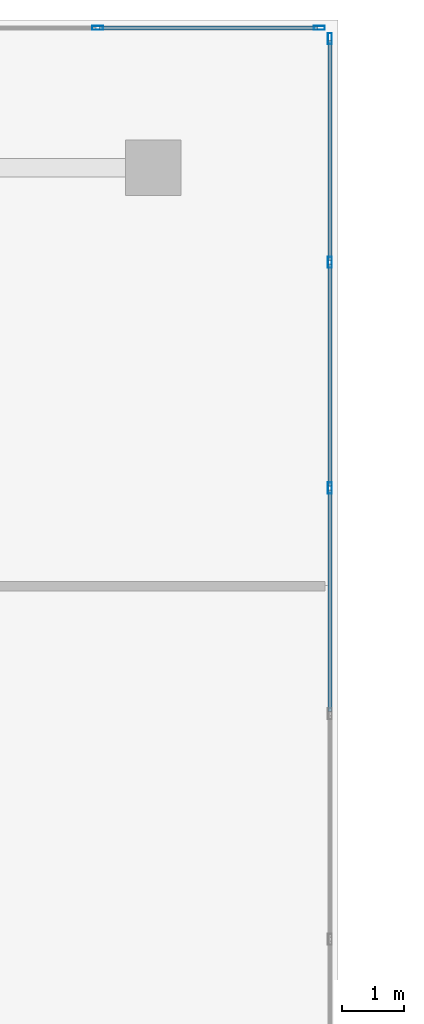
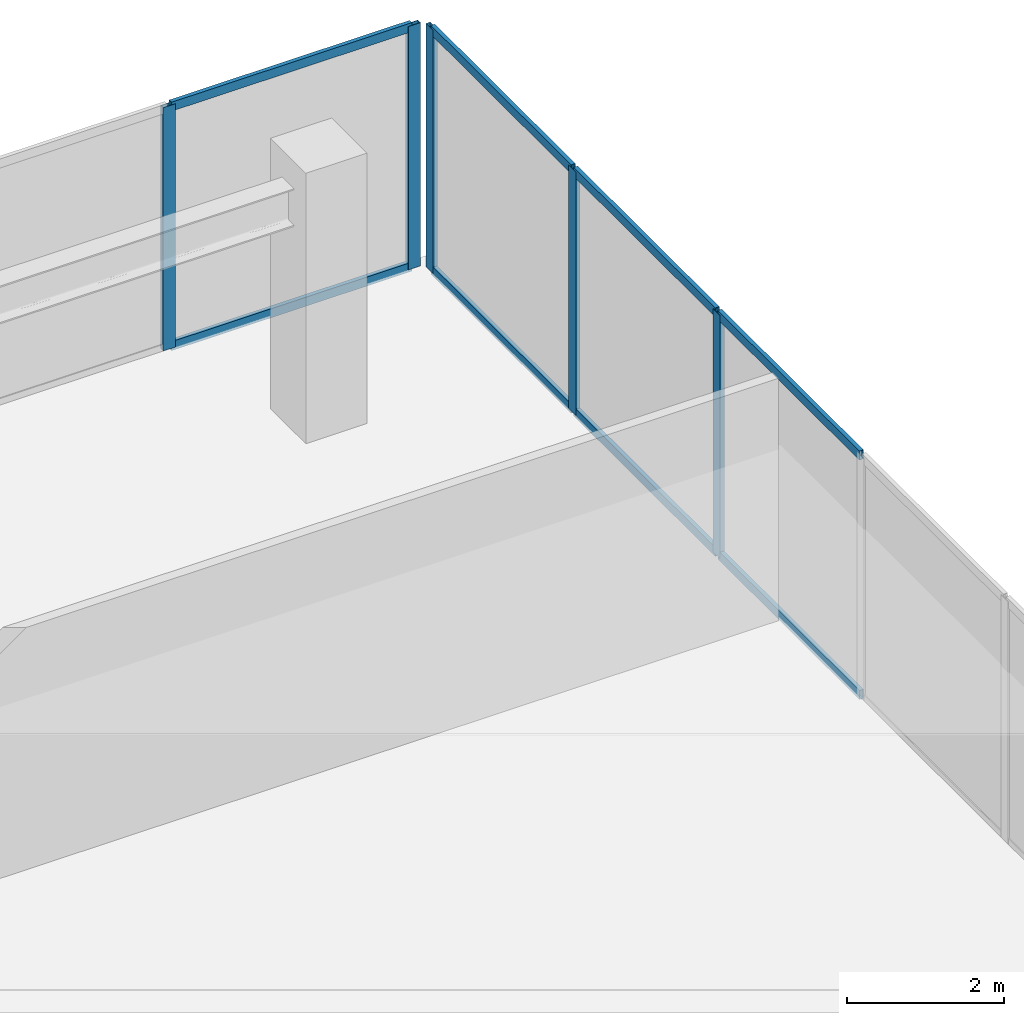
# One storey, part 21 of 32: 13 members, 2 elements without a shape of their own.
"""IFC4 building model written with IfcOpenShell, lengths in metres."""

from ifc_helpers import new_model, si_unit, direction, frame, origin, origin_2d, place, context, subcontext, project, spatial, hollow_rectangle, extrude, material, layer, layer_set, material_profile, profile_set, type_object, element, aggregate, save


model = new_model("IFC4")

# Units and contexts
model_context = context("Model", 3, precision=1e-05, world=origin(), true_north=direction((0.0, 1.0)))
body_context = subcontext(model_context, "Body", "Model", "MODEL_VIEW")
ifc_project = project(units=[si_unit("LENGTHUNIT", "METRE"), si_unit("AREAUNIT", "SQUARE_METRE"), si_unit("VOLUMEUNIT", "CUBIC_METRE"), si_unit("PLANEANGLEUNIT", "RADIAN"), si_unit("MASSUNIT", "GRAM", prefix="KILO")], contexts=[model_context])

# Site, building, storey
site_placement = place(None, origin())
site = spatial("IfcSite", under=ifc_project, at=site_placement, CompositionType="ELEMENT")
building_placement = place(site_placement, origin())
building = spatial("IfcBuilding", under=site, at=building_placement, Name="Haolan Belvedere Tower", CompositionType="ELEMENT")
storey_placement = place(building_placement, frame((0.0, 0.0, 15.60009765625)))
storey = spatial("IfcBuildingStorey", under=building, at=storey_placement, Name="L03", CompositionType="ELEMENT", Elevation=15.60009765625)

# Curtain wall, members
ifc_material_1 = material(Name="Anodised champagne-silver aluminium 6063-T6 and Low-E glass", Category="aluminium")
ifc_layer = layer(ifc_material_1, 0.179931640625, Name="Anodised champagne-silver aluminium 6063-T6 and Low-E glass")
ifc_layer_set = layer_set([ifc_layer], Name="Anodised champagne-silver aluminium 6063-T6 and Low-E glass")
curtain_wall_type = type_object("IfcCurtainWallType", Name="CW-SYS-01", PredefinedType="NOTDEFINED", material=ifc_layer_set)
curtain_wall_1_placement = place(storey_placement, origin())
curtain_wall_1 = element("IfcCurtainWall", 1, at=curtain_wall_1_placement, inside=storey, type_object=curtain_wall_type, Name="L03 CW-SYS-01 ribbon curtain wall 2.1", PredefinedType="NOTDEFINED")
ifc_material_2 = material(Name="Anodised aluminium 6063-T6", Category="aluminium")
ifc_material_profile_1 = material_profile(ifc_material_2, hollow_rectangle(XDim=0.06494140625, YDim=0.179931640625, WallThickness=0.00390625, at=origin_2d()), Name="Anodised aluminium 6063-T6")
ifc_profile_set_1 = profile_set([ifc_material_profile_1], Name="Anodised aluminium 6063-T6")
member_type_1 = type_object("IfcMemberType", Name="CW-SYS-01-MUL", PredefinedType="MULLION", material=ifc_profile_set_1)
member_1_placement = place(storey_placement, frame((73.070068359375, 46.396240234375, 0.0), z_axis=(0.0, 0.0, 1.0), x_axis=(-1.0, 0.0, 0.0)))
member_1 = element("IfcMember", 2, at=member_1_placement, type_object=member_type_1, Name="CW-01 mullion 10", PredefinedType="MULLION", context=body_context, shape_type="SweptSolid", body=[
    extrude(hollow_rectangle(XDim=0.06494140625, YDim=0.179931640625, WallThickness=0.00390625, at=origin_2d()), origin(), (0.0, 0.0, 1.0), 3.77978515625),
])
member_2_placement = place(storey_placement, frame((73.070068359375, 50.06298828125, 0.0), z_axis=(0.0, 0.0, 1.0), x_axis=(-1.0, 0.0, 0.0)))
member_2 = element("IfcMember", 3, at=member_2_placement, type_object=member_type_1, Name="CW-01 mullion 11", PredefinedType="MULLION", context=body_context, shape_type="SweptSolid", body=[
    extrude(hollow_rectangle(XDim=0.06494140625, YDim=0.179931640625, WallThickness=0.00390625, at=origin_2d()), origin(), (0.0, 0.0, 1.0), 3.77978515625),
])
member_3_placement = place(storey_placement, frame((73.070068359375, 53.697509765625, 0.0), z_axis=(0.0, 0.0, 1.0), x_axis=(-1.0, 0.0, 0.0)))
member_3 = element("IfcMember", 4, at=member_3_placement, type_object=member_type_1, Name="CW-01 mullion 12", PredefinedType="MULLION", context=body_context, shape_type="SweptSolid", body=[
    extrude(hollow_rectangle(XDim=0.06494140625, YDim=0.179931640625, WallThickness=0.00390625, at=origin_2d()), origin(), (0.0, 0.0, 1.0), 3.77978515625),
])

curtain_wall_2_placement = place(storey_placement, origin())
curtain_wall_2 = element("IfcCurtainWall", 5, at=curtain_wall_2_placement, inside=storey, type_object=curtain_wall_type, Name="L03 CW-SYS-01 ribbon curtain wall 3.1", PredefinedType="NOTDEFINED")
member_4_placement = place(storey_placement, frame((72.8974609375, 53.8701171875, 0.0), z_axis=(0.0, 0.0, 1.0), x_axis=(0.0, -1.0, 0.0)))
member_4 = element("IfcMember", 6, at=member_4_placement, type_object=member_type_1, Name="CW-01 mullion 1", PredefinedType="MULLION", context=body_context, shape_type="SweptSolid", body=[
    extrude(hollow_rectangle(XDim=0.06494140625, YDim=0.179931640625, WallThickness=0.00390625, at=origin_2d()), origin(), (0.0, 0.0, 1.0), 3.77978515625),
])
member_5_placement = place(storey_placement, frame((69.295166015625, 53.8701171875, 0.0), z_axis=(0.0, 0.0, 1.0), x_axis=(0.0, -1.0, 0.0)))
member_5 = element("IfcMember", 7, at=member_5_placement, type_object=member_type_1, Name="CW-01 mullion 2", PredefinedType="MULLION", context=body_context, shape_type="SweptSolid", body=[
    extrude(hollow_rectangle(XDim=0.06494140625, YDim=0.179931640625, WallThickness=0.00390625, at=origin_2d()), origin(), (0.0, 0.0, 1.0), 3.77978515625),
])

# Member
ifc_material_profile_2 = material_profile(ifc_material_2, hollow_rectangle(XDim=0.06005859375, YDim=0.139892578125, WallThickness=0.00390625, at=origin_2d()), Name="Anodised aluminium 6063-T6")
ifc_profile_set_2 = profile_set([ifc_material_profile_2], Name="Anodised aluminium 6063-T6")
member_type_2 = type_object("IfcMemberType", Name="CW-SYS-01-TRN", PredefinedType="USERDEFINED", material=ifc_profile_set_2)
member_6_placement = place(storey_placement, frame((73.070068359375, 42.76171875, 0.02978515625), z_axis=(0.0, 1.0, 0.0), x_axis=(-1.0, 0.0, 0.0)))
member_6 = element("IfcMember", 8, at=member_6_placement, type_object=member_type_2, Name="CW-01 transom 9.1", ObjectType="TRANSOM", PredefinedType="USERDEFINED", context=body_context, shape_type="SweptSolid", body=[
    extrude(hollow_rectangle(XDim=0.06005859375, YDim=0.139892578125, WallThickness=0.00390625, at=origin_2d()), origin(), (0.0, 0.0, 1.0), 3.601806640625),
])

member_7_placement = place(storey_placement, frame((73.070068359375, 42.76171875, 3.75), z_axis=(0.0, 1.0, 0.0), x_axis=(-1.0, 0.0, 0.0)))
member_7 = element("IfcMember", 9, at=member_7_placement, type_object=member_type_2, Name="CW-01 transom 9.2", ObjectType="TRANSOM", PredefinedType="USERDEFINED", context=body_context, shape_type="SweptSolid", body=[
    extrude(hollow_rectangle(XDim=0.06005859375, YDim=0.139892578125, WallThickness=0.00390625, at=origin_2d()), origin(), (0.0, 0.0, 1.0), 3.601806640625),
])

member_8_placement = place(storey_placement, frame((73.070068359375, 46.4287109375, 0.02978515625), z_axis=(0.0, 1.0, 0.0), x_axis=(-1.0, 0.0, 0.0)))
member_8 = element("IfcMember", 10, at=member_8_placement, type_object=member_type_2, Name="CW-01 transom 10.1", ObjectType="TRANSOM", PredefinedType="USERDEFINED", context=body_context, shape_type="SweptSolid", body=[
    extrude(hollow_rectangle(XDim=0.06005859375, YDim=0.139892578125, WallThickness=0.00390625, at=origin_2d()), origin(), (0.0, 0.0, 1.0), 3.601806640625),
])

member_9_placement = place(storey_placement, frame((73.070068359375, 46.4287109375, 3.75), z_axis=(0.0, 1.0, 0.0), x_axis=(-1.0, 0.0, 0.0)))
member_9 = element("IfcMember", 11, at=member_9_placement, type_object=member_type_2, Name="CW-01 transom 10.2", ObjectType="TRANSOM", PredefinedType="USERDEFINED", context=body_context, shape_type="SweptSolid", body=[
    extrude(hollow_rectangle(XDim=0.06005859375, YDim=0.139892578125, WallThickness=0.00390625, at=origin_2d()), origin(), (0.0, 0.0, 1.0), 3.601806640625),
])

member_10_placement = place(storey_placement, frame((73.070068359375, 50.095458984375, 0.02978515625), z_axis=(0.0, 1.0, 0.0), x_axis=(-1.0, 0.0, 0.0)))
member_10 = element("IfcMember", 12, at=member_10_placement, type_object=member_type_2, Name="CW-01 transom 11.1", ObjectType="TRANSOM", PredefinedType="USERDEFINED", context=body_context, shape_type="SweptSolid", body=[
    extrude(hollow_rectangle(XDim=0.06005859375, YDim=0.139892578125, WallThickness=0.00390625, at=origin_2d()), origin(), (0.0, 0.0, 1.0), 3.569580078125),
])

member_11_placement = place(storey_placement, frame((73.070068359375, 50.095458984375, 3.75), z_axis=(0.0, 1.0, 0.0), x_axis=(-1.0, 0.0, 0.0)))
member_11 = element("IfcMember", 13, at=member_11_placement, type_object=member_type_2, Name="CW-01 transom 11.2", ObjectType="TRANSOM", PredefinedType="USERDEFINED", context=body_context, shape_type="SweptSolid", body=[
    extrude(hollow_rectangle(XDim=0.06005859375, YDim=0.139892578125, WallThickness=0.00390625, at=origin_2d()), origin(), (0.0, 0.0, 1.0), 3.569580078125),
])

aggregate(curtain_wall_1, [member_1, member_2, member_3, member_6, member_7, member_8, member_9, member_10, member_11])

member_12_placement = place(storey_placement, frame((72.864990234375, 53.8701171875, 0.02978515625), z_axis=(-1.0, 0.0, 0.0), x_axis=(0.0, -1.0, 0.0)))
member_12 = element("IfcMember", 14, at=member_12_placement, type_object=member_type_2, Name="CW-01 transom 1.1", ObjectType="TRANSOM", PredefinedType="USERDEFINED", context=body_context, shape_type="SweptSolid", body=[
    extrude(hollow_rectangle(XDim=0.06005859375, YDim=0.139892578125, WallThickness=0.00390625, at=origin_2d()), origin(), (0.0, 0.0, 1.0), 3.537109375),
])

member_13_placement = place(storey_placement, frame((72.864990234375, 53.8701171875, 3.75), z_axis=(-1.0, 0.0, 0.0), x_axis=(0.0, -1.0, 0.0)))
member_13 = element("IfcMember", 15, at=member_13_placement, type_object=member_type_2, Name="CW-01 transom 1.2", ObjectType="TRANSOM", PredefinedType="USERDEFINED", context=body_context, shape_type="SweptSolid", body=[
    extrude(hollow_rectangle(XDim=0.06005859375, YDim=0.139892578125, WallThickness=0.00390625, at=origin_2d()), origin(), (0.0, 0.0, 1.0), 3.537109375),
])

aggregate(curtain_wall_2, [member_4, member_5, member_12, member_13])

save(model, "model.ifc")
